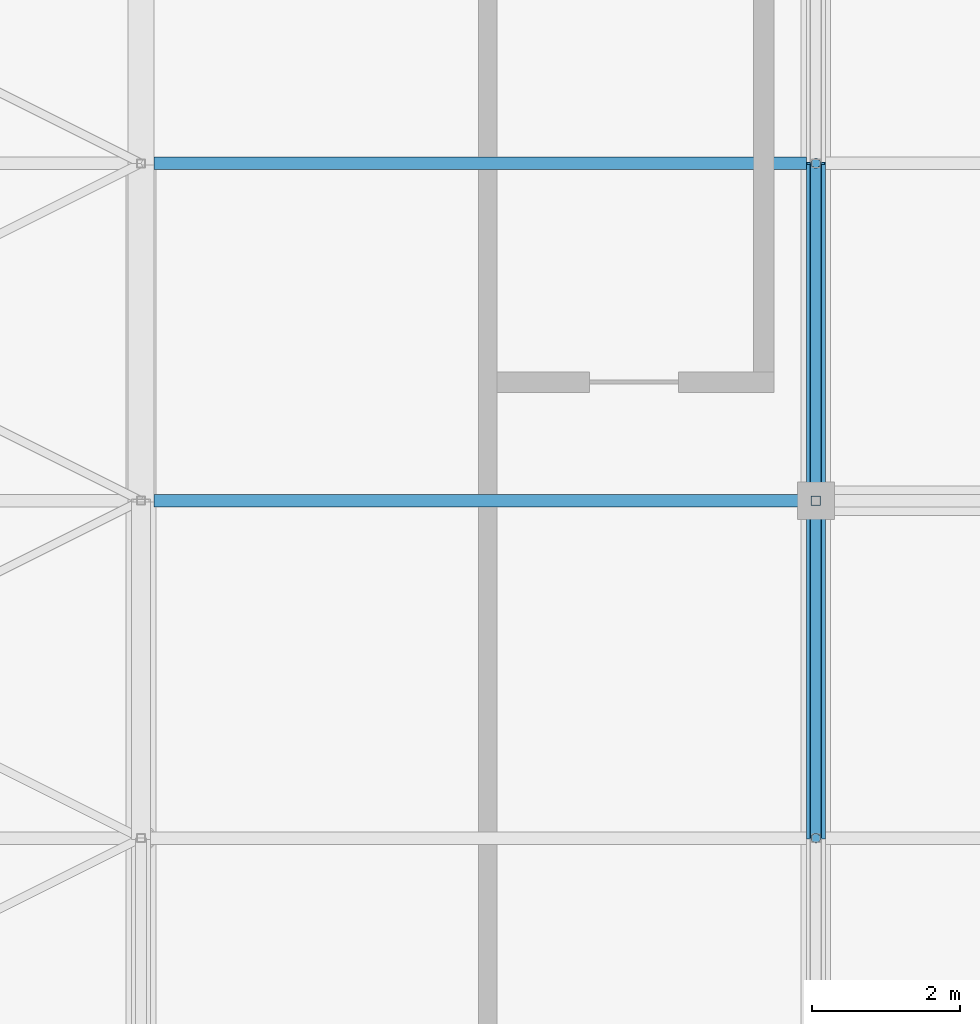
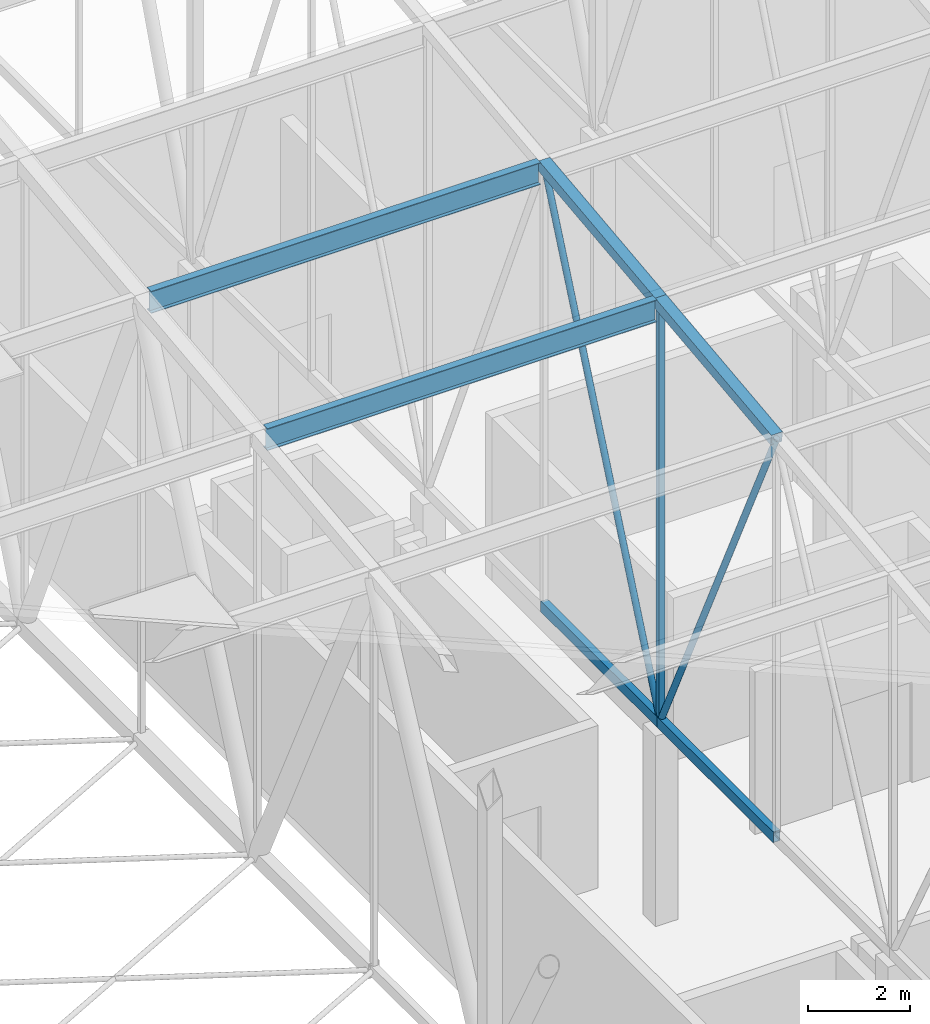
# One storey, part 124 of 500: 9 members.
"""IFC4 building model written with IfcOpenShell, lengths in metres."""

from ifc_helpers import new_model, si_unit, direction, frame, origin, origin_2d, place, context, subcontext, project, spatial, hollow_rectangle, hollow_circle, i_section, extrude, material, material_profile, profile_set, type_object, element, save


model = new_model("IFC4")

# Units and contexts
model_context = context("Model", 3, precision=1e-05, world=origin(), true_north=direction((0.0, 1.0)))
body_context = subcontext(model_context, "Body", "Model", "MODEL_VIEW")
ifc_project = project(units=[si_unit("LENGTHUNIT", "METRE"), si_unit("AREAUNIT", "SQUARE_METRE"), si_unit("VOLUMEUNIT", "CUBIC_METRE"), si_unit("PLANEANGLEUNIT", "RADIAN"), si_unit("MASSUNIT", "GRAM", prefix="KILO")], contexts=[model_context])

# Site, building, storey
site_placement = place(None, origin())
site = spatial("IfcSite", under=ifc_project, at=site_placement, CompositionType="ELEMENT")
building_placement = place(site_placement, origin())
building = spatial("IfcBuilding", under=site, at=building_placement, Name="Shirokan Park Arena", CompositionType="ELEMENT")
storey_placement = place(building_placement, frame((0.0, 0.0, 29.1201171875)))
storey = spatial("IfcBuildingStorey", under=building, at=storey_placement, Name="L06", CompositionType="ELEMENT", Elevation=29.1201171875)

# Members
ifc_material_1 = material(Name="Steel ASTM A500 Grade C", Category="steel")
ifc_material_profile_1 = material_profile(ifc_material_1, hollow_rectangle(XDim=0.152099609375, YDim=0.25390625, WallThickness=0.009521484375, at=origin_2d()), Name="HSS254X152.4X9.5")
ifc_profile_set_1 = profile_set([ifc_material_profile_1], Name="Steel ASTM A500 Grade C")
member_type_1 = type_object("IfcMemberType", Name="Bottom chord HSS254X152.4X9.5", PredefinedType="CHORD", material=ifc_profile_set_1)
for number, where, z_axis, x_axis, name in (
    (1, (109.199951171875, 13.64990234375, 4.677001953125), (0.0, 1.0, 0.0), (-1.0, 0.0, 0.0), "Truss T13 bottom chord 6"),
    (2, (109.199951171875, 18.199951171875, 4.677001953125), (0.0, 1.0, 0.0), (-1.0, 0.0, 0.0), "Truss T13 bottom chord 7"),
):
    element("IfcMember", number, at=place(storey_placement, frame(where, z_axis=z_axis, x_axis=x_axis)), inside=storey, type_object=member_type_1, Name=name, PredefinedType="CHORD", context=body_context, shape_type="SweptSolid", body=[
        extrude(hollow_rectangle(XDim=0.152099609375, YDim=0.25390625, WallThickness=0.009521484375, at=origin_2d()), origin(), (0.0, 0.0, 1.0), 4.550048828125),
    ])
ifc_material_2 = material(Name="Steel ASTM A992", Category="steel")
ifc_material_profile_2 = material_profile(ifc_material_2, i_section(OverallWidth=0.166015625, OverallDepth=0.528076171875, WebThickness=0.009765625, FlangeThickness=0.013671875, at=origin_2d()), Name="W530X74")
ifc_profile_set_2 = profile_set([ifc_material_profile_2], Name="Steel ASTM A992")
member_type_2 = type_object("IfcMemberType", Name="Purlin W530X74", PredefinedType="PURLIN", material=ifc_profile_set_2)
for number, where, z_axis, x_axis, name in (
    (3, (100.278076171875, 18.199951171875, 14.56591796875), (1.0, 0.0, 0.0), (0.0, 1.0, 0.0), "Purlin 7 bay 12"),
    (4, (100.278076171875, 22.75, 15.0859375), (1.0, 0.0, 0.0), (0.0, 1.0, 0.0), "Purlin 8 bay 12"),
):
    element("IfcMember", number, at=place(storey_placement, frame(where, z_axis=z_axis, x_axis=x_axis)), inside=storey, type_object=member_type_2, Name=name, PredefinedType="PURLIN", context=body_context, shape_type="SweptSolid", body=[
        extrude(i_section(OverallWidth=0.166015625, OverallDepth=0.528076171875, WebThickness=0.009765625, FlangeThickness=0.013671875, at=origin_2d()), origin(), (0.0, 0.0, 1.0), 8.794921875),
    ])
ifc_material_profile_3 = material_profile(ifc_material_1, hollow_rectangle(XDim=0.25390625, YDim=0.25390625, WallThickness=0.009521484375, at=origin_2d()), Name="HSS254X254X9.5")
ifc_profile_set_3 = profile_set([ifc_material_profile_3], Name="Steel ASTM A500 Grade C")
member_type_3 = type_object("IfcMemberType", Name="Top chord HSS254X254X9.5", PredefinedType="CHORD", material=ifc_profile_set_3)
for number, where, z_axis, x_axis, name in (
    (5, (109.199951171875, 13.64990234375, 14.182861328125), (0.0, 0.993532328996, 0.113549598152), (-1.0, 0.0, 0.0), "Truss T13 top chord 6"),
    (6, (109.199951171875, 18.199951171875, 14.702880859375), (0.0, 0.993532328996, 0.113549598152), (-1.0, 0.0, 0.0), "Truss T13 top chord 7"),
):
    element("IfcMember", number, at=place(storey_placement, frame(where, z_axis=z_axis, x_axis=x_axis)), inside=storey, type_object=member_type_3, Name=name, PredefinedType="CHORD", context=body_context, shape_type="SweptSolid", body=[
        extrude(hollow_rectangle(XDim=0.25390625, YDim=0.25390625, WallThickness=0.009521484375, at=origin_2d()), origin(), (0.0, 0.0, 1.0), 4.57958984375),
    ])
ifc_material_profile_4 = material_profile(ifc_material_1, hollow_circle(Radius=0.070556640625, WallThickness=0.006591796875, at=origin_2d()), Name="HSS141.3X6.6")
ifc_profile_set_4 = profile_set([ifc_material_profile_4], Name="Steel ASTM A500 Grade C")
member_type_4 = type_object("IfcMemberType", Name="Truss diagonal HSS141.3X6.6", PredefinedType="BRACE", material=ifc_profile_set_4)
member_1_placement = place(storey_placement, frame((109.199951171875, 13.64990234375, 14.182861328125), z_axis=(0.0, 0.431746476626, -0.901994999942), x_axis=(-1.0, 0.0, 0.0)))
element("IfcMember", 7, at=member_1_placement, inside=storey, type_object=member_type_4, Name="Truss T13 diagonal 6", PredefinedType="BRACE", context=body_context, shape_type="SweptSolid", body=[
    extrude(hollow_circle(Radius=0.070556640625, WallThickness=0.006591796875, at=origin_2d()), origin(), (0.0, 0.0, 1.0), 10.538818359375),
])
member_2_placement = place(storey_placement, frame((109.199951171875, 18.199951171875, 4.677001953125), z_axis=(0.0, 0.396152605513, 0.918184683572), x_axis=(-1.0, 0.0, 0.0)))
element("IfcMember", 8, at=member_2_placement, inside=storey, type_object=member_type_4, Name="Truss T13 diagonal 7", PredefinedType="BRACE", context=body_context, shape_type="SweptSolid", body=[
    extrude(hollow_circle(Radius=0.070556640625, WallThickness=0.006591796875, at=origin_2d()), origin(), (0.0, 0.0, 1.0), 11.485595703125),
])
ifc_material_profile_5 = material_profile(ifc_material_1, hollow_rectangle(XDim=0.126953125, YDim=0.126953125, WallThickness=0.008056640625, at=origin_2d()), Name="HSS127X127X7.9")
ifc_profile_set_5 = profile_set([ifc_material_profile_5], Name="Steel ASTM A500 Grade C")
member_type_5 = type_object("IfcMemberType", Name="Truss post HSS127X127X7.9", PredefinedType="POST", material=ifc_profile_set_5)
member_3_placement = place(storey_placement, frame((109.199951171875, 18.199951171875, 4.677001953125), z_axis=(0.0, 0.0, 1.0), x_axis=(1.0, 0.0, 0.0)))
element("IfcMember", 9, at=member_3_placement, inside=storey, type_object=member_type_5, Name="Truss T13 post 7", PredefinedType="POST", context=body_context, shape_type="SweptSolid", body=[
    extrude(hollow_rectangle(XDim=0.126953125, YDim=0.126953125, WallThickness=0.008056640625, at=origin_2d()), origin(), (0.0, 0.0, 1.0), 10.02587890625),
])

save(model, "model.ifc")
